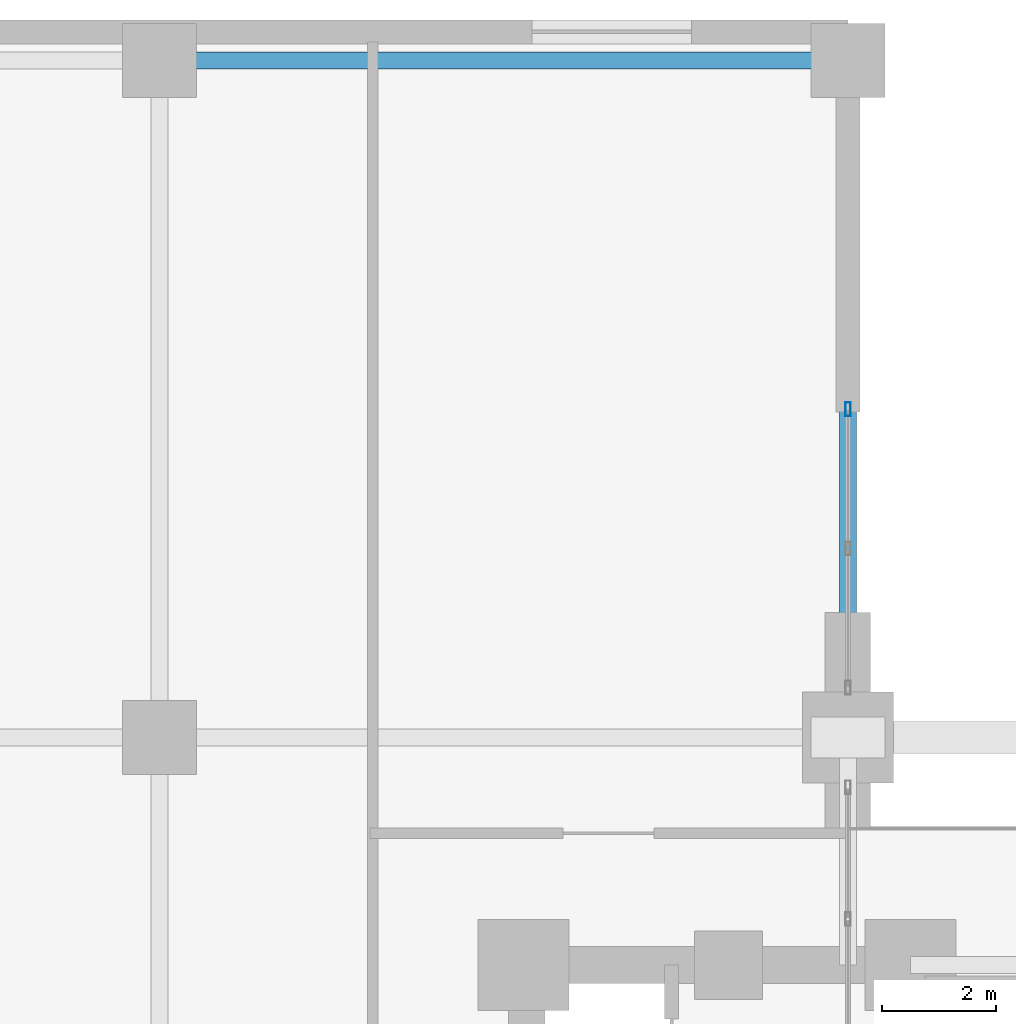
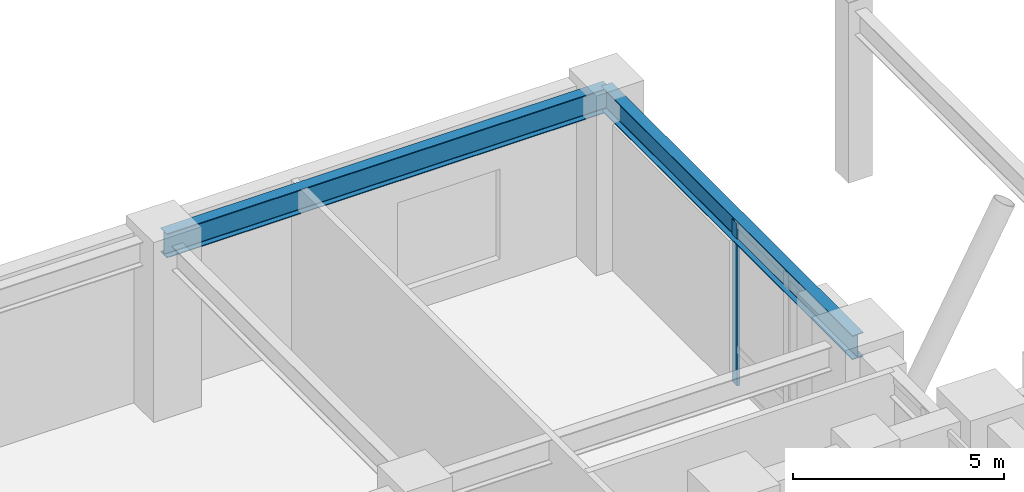
# One storey, part 12 of 27: 2 beams, 1 member, 1 element without a shape of its own.
"""IFC4 building model written with IfcOpenShell, lengths in metres."""

import ifcopenshell
import ifcopenshell.guid

model = None  # the IFC model being written
_history = None  # IfcOwnerHistory: only IFC2X3 demands one
_inside = {}  # id of a spatial element -> (the spatial element, [elements in it])
_under = {}  # id of a project, library or spatial element -> (it, [spatial elements below it])
_declared = {}  # id of a project -> (the project, [libraries it declares])
_typed = {}  # id of a type object -> (the type object, [elements of that type])
_made_of = {}  # id of a material, layer set ... -> (it, [elements and type objects made of it])


def new_model(schema):
    """Start an empty IFC model of exactly this schema.

    Asked for "IFC4X3", IfcOpenShell would pick the latest addendum, in which some entities
    have other attributes; the version numbers below select the first issue.
    IFC2X3 requires an IfcOwnerHistory on every rooted entity: one is made here for all.
    """
    global model, _history
    if schema == "IFC4X3":
        model = ifcopenshell.file(schema_version=(4, 3, 0, 0))
    else:
        model = ifcopenshell.file(schema=schema)
    _inside.clear()
    _under.clear()
    _declared.clear()
    _typed.clear()
    _made_of.clear()
    _history = None
    if model.schema == "IFC2X3":
        org = make("IfcOrganization", Name="unknown")
        user = make(
            "IfcPersonAndOrganization",
            ThePerson=make("IfcPerson", FamilyName="unknown"),
            TheOrganization=org,
        )
        app = make(
            "IfcApplication",
            ApplicationDeveloper=org,
            Version="unknown",
            ApplicationFullName="unknown",
            ApplicationIdentifier="unknown",
        )
        _history = make(
            "IfcOwnerHistory",
            OwningUser=user,
            OwningApplication=app,
            ChangeAction="ADDED",
            CreationDate=0,
        )
    return model


def make(cls, **values):
    """One entity of the class cls with the attributes given. An attribute that is None is left unset."""
    return model.create_entity(
        cls, **{name: value for name, value in values.items() if value is not None}
    )


def rooted(cls, **values):
    """An entity with a GlobalId (a new one), such as an element, a storey or a relation."""
    return make(cls, GlobalId=ifcopenshell.guid.new(), OwnerHistory=_history, **values)


def si_unit(unit_type, name, prefix=None):
    """IfcSIUnit, for example si_unit("LENGTHUNIT", "METRE", prefix="MILLI")."""
    return make("IfcSIUnit", UnitType=unit_type, Prefix=prefix, Name=name)


def assignment(units):
    """IfcUnitAssignment: the units of a project."""
    return None if units is None else make("IfcUnitAssignment", Units=units)


def point(xyz):
    """IfcCartesianPoint."""
    return None if xyz is None else make("IfcCartesianPoint", Coordinates=xyz)


def direction(xyz):
    """IfcDirection."""
    return None if xyz is None else make("IfcDirection", DirectionRatios=xyz)


def frame(location, z_axis=None, x_axis=None):
    """IfcAxis2Placement3D, a coordinate frame: its origin and axes. An axis left out is left unset."""
    return make(
        "IfcAxis2Placement3D",
        Location=point(location),
        Axis=direction(z_axis),
        RefDirection=direction(x_axis),
    )


def frame_2d(location, x_axis=None):
    """IfcAxis2Placement2D, a coordinate frame in the plane: its origin and x axis."""
    return make(
        "IfcAxis2Placement2D", Location=point(location), RefDirection=direction(x_axis)
    )


def origin():
    """The frame at (0, 0, 0) with its axes left unset."""
    return frame((0.0, 0.0, 0.0))


def origin_2d():
    """The frame at (0, 0) in the plane with its x axis left unset."""
    return frame_2d((0.0, 0.0))


def place(relative_to, where):
    """IfcLocalPlacement: puts the frame where relative to a parent placement (None: the world)."""
    return make(
        "IfcLocalPlacement", PlacementRelTo=relative_to, RelativePlacement=where
    )


def context(
    kind, dimensions, precision=None, world=None, true_north=None, identifier=None
):
    """IfcGeometricRepresentationContext, for example the 3D "Model" context."""
    return make(
        "IfcGeometricRepresentationContext",
        ContextIdentifier=identifier,
        ContextType=kind,
        CoordinateSpaceDimension=dimensions,
        Precision=precision,
        WorldCoordinateSystem=world,
        TrueNorth=true_north,
    )


def subcontext(parent, identifier, kind, view, scale=None):
    """IfcGeometricRepresentationSubContext, for example "Body" below "Model"."""
    return make(
        "IfcGeometricRepresentationSubContext",
        ContextIdentifier=identifier,
        ContextType=kind,
        ParentContext=parent,
        TargetScale=scale,
        TargetView=view,
    )


def project(units=None, contexts=None):
    """IfcProject with its units and contexts."""
    return rooted(
        "IfcProject",
        Name="project",
        RepresentationContexts=contexts,
        UnitsInContext=assignment(units),
    )


def spatial(cls, under=None, at=None, **own):
    """A site, building, storey or space (cls), placed at a placement, below another one or the project."""
    s = rooted(cls, ObjectPlacement=at, **own)
    if under is not None:
        _under.setdefault(under.id(), (under, []))[1].append(s)
    return s


def profile(cls, at=None, kind="AREA", **sizes):
    """A parametric profile (cls). Its sizes go by their IFC names, for example OverallWidth=200.0."""
    return make(cls, ProfileType=kind, Position=at, **sizes)


def hollow_rectangle(**sizes):
    """IfcRectangleHollowProfileDef."""
    return profile("IfcRectangleHollowProfileDef", **sizes)


def i_section(**sizes):
    """IfcIShapeProfileDef."""
    return profile("IfcIShapeProfileDef", **sizes)


def extrude(swept, where, along, depth):
    """IfcExtrudedAreaSolid: the profile swept, set in the frame where, extruded along a direction by depth."""
    return make(
        "IfcExtrudedAreaSolid",
        SweptArea=swept,
        Position=where,
        ExtrudedDirection=direction(along),
        Depth=depth,
    )


def shape(context_of_items, identifier, shape_type, items):
    """IfcShapeRepresentation: the items that make up one representation, for example the "Body"."""
    return make(
        "IfcShapeRepresentation",
        ContextOfItems=context_of_items,
        RepresentationIdentifier=identifier,
        RepresentationType=shape_type,
        Items=items,
    )


def material(Name=None, Category=None):
    """IfcMaterial."""
    return make("IfcMaterial", Name=Name, Category=Category)


def layer(
    of_material, thickness, ventilated=None, Name=None, Category=None, Priority=None
):
    """IfcMaterialLayer: one layer of a wall or slab, of a material (None: an air gap)."""
    return make(
        "IfcMaterialLayer",
        Material=of_material,
        LayerThickness=thickness,
        IsVentilated=ventilated,
        Name=Name,
        Category=Category,
        Priority=Priority,
    )


def layer_set(layers, Name=None):
    """IfcMaterialLayerSet."""
    return make("IfcMaterialLayerSet", MaterialLayers=layers, LayerSetName=Name)


def material_profile(
    of_material, cross_section, Name=None, Category=None, Priority=None
):
    """IfcMaterialProfile: a cross section and its material."""
    return make(
        "IfcMaterialProfile",
        Name=Name,
        Material=of_material,
        Profile=cross_section,
        Priority=Priority,
        Category=Category,
    )


def profile_set(profiles, Name=None, composite=None):
    """IfcMaterialProfileSet."""
    return make(
        "IfcMaterialProfileSet",
        Name=Name,
        MaterialProfiles=profiles,
        CompositeProfile=composite,
    )


def made_of(thing, what):
    """Note that an element or type object is made of a material, layer set ...; save() writes the relation."""
    if what is not None:
        _made_of.setdefault(what.id(), (what, []))[1].append(thing)
    return thing


def type_object(cls, material=None, **own):
    """A type object (cls), such as IfcWallType, which elements share."""
    return made_of(rooted(cls, **own), material)


def element(
    cls,
    number,
    at=None,
    inside=None,
    cuts=None,
    type_object=None,
    material=None,
    context=None,
    identifier="Body",
    shape_type=None,
    held_by="IfcProductDefinitionShape",
    body=None,
    shapes=None,
    **own,
):
    """One element of the class cls, such as IfcWall. Its Tag is "e" and its number.

    at: its placement. inside: the storey or other place that contains it. cuts: it is an
    opening in that element (IfcRelVoidsElement). A single representation is given by context,
    identifier, shape_type and body (its items); several are given by shapes. held_by: the class
    of the entity that holds the representations. save() writes the other relations.
    """
    e = rooted(cls, Tag="e%d" % number, ObjectPlacement=at, **own)
    if body is not None:
        shapes = [shape(context, identifier, shape_type, body)]
    if shapes is not None:
        e.Representation = make(held_by, Representations=shapes)
    if inside is not None:
        _inside.setdefault(inside.id(), (inside, []))[1].append(e)
    if cuts is not None:
        rooted(
            "IfcRelVoidsElement", RelatingBuildingElement=cuts, RelatedOpeningElement=e
        )
    if type_object is not None:
        _typed.setdefault(type_object.id(), (type_object, []))[1].append(e)
    return made_of(e, material)


def aggregate(whole, parts):
    """IfcRelAggregates: a whole, such as a stair, and the parts it consists of."""
    return rooted("IfcRelAggregates", RelatingObject=whole, RelatedObjects=parts)


def save(model, path):
    """Write the relations noted so far, then the file.

    IfcRelAggregates (storeys below a building ...), IfcRelContainedInSpatialStructure (elements
    in a storey), IfcRelDefinesByType, IfcRelAssociatesMaterial and IfcRelDeclares: one each for
    every whole, place, type object, material and project.
    """
    for whole, parts in _under.values():
        aggregate(whole, parts)
    for where, things in _inside.values():
        rooted(
            "IfcRelContainedInSpatialStructure",
            RelatedElements=things,
            RelatingStructure=where,
        )
    for kind, things in _typed.values():
        rooted("IfcRelDefinesByType", RelatedObjects=things, RelatingType=kind)
    for what, things in _made_of.values():
        rooted("IfcRelAssociatesMaterial", RelatedObjects=things, RelatingMaterial=what)
    for by, libraries in _declared.values():
        rooted("IfcRelDeclares", RelatingContext=by, RelatedDefinitions=libraries)
    model.write(path)


model = new_model("IFC4")

# Units and contexts
model_context = context("Model", 3, precision=1e-05, world=origin(), true_north=direction((0.0, 1.0)))
body_context = subcontext(model_context, "Body", "Model", "MODEL_VIEW")
ifc_project = project(units=[si_unit("LENGTHUNIT", "METRE"), si_unit("AREAUNIT", "SQUARE_METRE"), si_unit("VOLUMEUNIT", "CUBIC_METRE"), si_unit("PLANEANGLEUNIT", "RADIAN"), si_unit("MASSUNIT", "GRAM", prefix="KILO")], contexts=[model_context])

# Site, building, storey
site_placement = place(None, origin())
site = spatial("IfcSite", under=ifc_project, at=site_placement, CompositionType="ELEMENT")
building_placement = place(site_placement, origin())
building = spatial("IfcBuilding", under=site, at=building_placement, Name="Voryun Gate Residences", CompositionType="ELEMENT")
storey_placement = place(building_placement, frame((0.0, 0.0, 5.199951171875)))
storey = spatial("IfcBuildingStorey", under=building, at=storey_placement, Name="L01", CompositionType="ELEMENT", Elevation=5.199951171875)

# Beams
ifc_material_1 = material(Name="Steel SM355", Category="steel")
ifc_material_profile_1 = material_profile(ifc_material_1, i_section(OverallWidth=0.300048828125, OverallDepth=0.699951171875, WebThickness=0.012939453125, FlangeThickness=0.02392578125, FilletRadius=0.01806640625, at=origin_2d()), Name="H-700x300x13x24")
ifc_profile_set_1 = profile_set([ifc_material_profile_1], Name="Steel SM355")
beam_type = type_object("IfcBeamType", Name="BM_GIRD_700", PredefinedType="USERDEFINED", material=ifc_profile_set_1)
beam_1_placement = place(storey_placement, frame((-25.60009765625, 23.300048828125, 4.570068359375), z_axis=(1.0, 0.0, 0.0), x_axis=(0.0, 1.0, 0.0)))
element("IfcBeam", 1, at=beam_1_placement, inside=storey, type_object=beam_type, Name="BM-L01-PWX-+23.3-1", ObjectType="GIRDER", PredefinedType="USERDEFINED", context=body_context, shape_type="SweptSolid", body=[
    extrude(i_section(OverallWidth=0.300048828125, OverallDepth=0.699951171875, WebThickness=0.012939453125, FlangeThickness=0.02392578125, FilletRadius=0.01806640625, at=origin_2d()), origin(), (0.0, 0.0, 1.0), 12.10009765625),
])
beam_2_placement = place(storey_placement, frame((-13.5, 11.39990234375, 4.570068359375), z_axis=(0.0, 1.0, 0.0), x_axis=(-1.0, 0.0, 0.0)))
element("IfcBeam", 2, at=beam_2_placement, inside=storey, type_object=beam_type, Name="BM-L01-PWYA-+11.4", ObjectType="GIRDER", PredefinedType="USERDEFINED", context=body_context, shape_type="SweptSolid", body=[
    extrude(i_section(OverallWidth=0.300048828125, OverallDepth=0.699951171875, WebThickness=0.012939453125, FlangeThickness=0.02392578125, FilletRadius=0.01806640625, at=origin_2d()), origin(), (0.0, 0.0, 1.0), 11.900146484375),
])

# Curtain wall, member
ifc_material_2 = material(Name="Anodised aluminium", Category="aluminium")
ifc_layer = layer(ifc_material_2, 0.239990234375, Name="CW_SYS_ARCH_DARK_GLASS")
ifc_layer_set = layer_set([ifc_layer], Name="Anodised aluminium")
curtain_wall_type = type_object("IfcCurtainWallType", Name="CW_SYS_ARCH_DARK_GLASS", PredefinedType="NOTDEFINED", material=ifc_layer_set)
curtain_wall_placement = place(storey_placement, origin())
curtain_wall = element("IfcCurtainWall", 3, at=curtain_wall_placement, inside=storey, type_object=curtain_wall_type, Name="Curtain wall CW2-L01-WP-N", PredefinedType="NOTDEFINED")
ifc_material_3 = material(Name="Anodised aluminium", Category="aluminium")
ifc_material_profile_2 = material_profile(ifc_material_3, hollow_rectangle(XDim=0.090087890625, YDim=0.239990234375, WallThickness=0.006103515625, at=origin_2d()), Name="ALU-MULL-240x90x6")
ifc_profile_set_2 = profile_set([ifc_material_profile_2], Name="Anodised aluminium")
member_type = type_object("IfcMemberType", Name="CW_MULL_ARCH", PredefinedType="MULLION", material=ifc_profile_set_2)
member_placement = place(storey_placement, frame((-13.5, 17.169921875, 0.0), z_axis=(0.0, 0.0, 1.0), x_axis=(-1.0, 0.0, 0.0)))
member = element("IfcMember", 4, at=member_placement, type_object=member_type, Name="CW2 mullion 3", PredefinedType="MULLION", context=body_context, shape_type="SweptSolid", body=[
    extrude(hollow_rectangle(XDim=0.090087890625, YDim=0.239990234375, WallThickness=0.006103515625, at=origin_2d()), origin(), (0.0, 0.0, 1.0), 4.699951171875),
])
aggregate(curtain_wall, [member])

save(model, "model.ifc")
